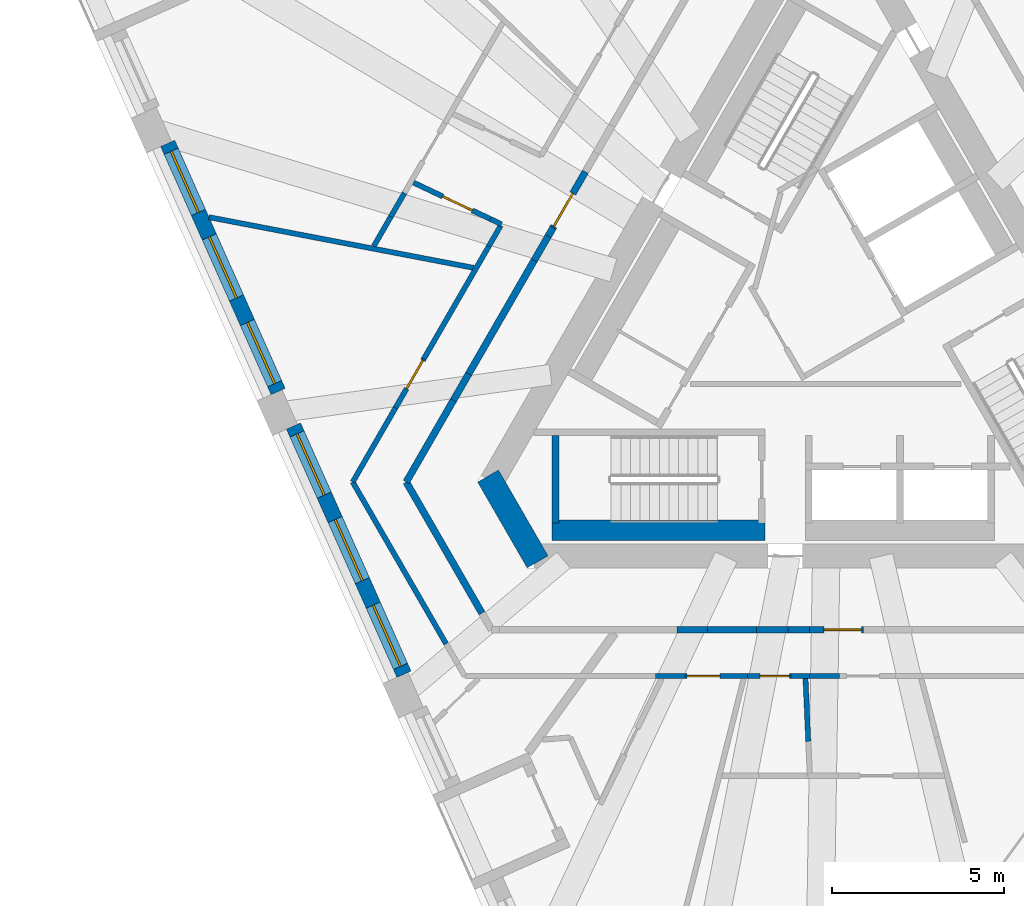
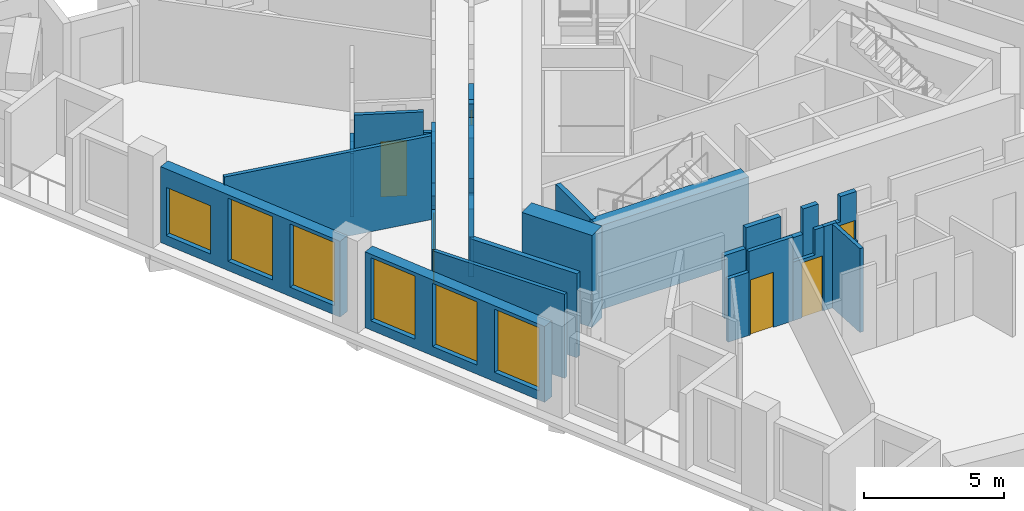
# One storey, part 3 of 11: 33 walls, 6 doors, 6 windows, 12 openings.
"""IFC4 building model written with IfcOpenShell, lengths in metres."""

from ifc_helpers import new_model, si_unit, direction, frame, frame_2d, origin, place, context, subcontext, project, spatial, polyline, rectangle, outline, extrude, material, layer, layer_set, type_object, element, fill, save


model = new_model("IFC4")

# Units and contexts
model_context = context("Model", 3, precision=1e-05, world=origin(), true_north=direction((0.0, 1.0)))
body_context = subcontext(model_context, "Body", "Model", "MODEL_VIEW")
ifc_project = project(units=[si_unit("LENGTHUNIT", "METRE"), si_unit("AREAUNIT", "SQUARE_METRE"), si_unit("VOLUMEUNIT", "CUBIC_METRE"), si_unit("PLANEANGLEUNIT", "RADIAN"), si_unit("MASSUNIT", "GRAM", prefix="KILO")], contexts=[model_context])

# Site, building, storey
site_placement = place(None, origin())
site = spatial("IfcSite", under=ifc_project, at=site_placement, CompositionType="ELEMENT")
building_placement = place(site_placement, origin())
building = spatial("IfcBuilding", under=site, at=building_placement, Name="Tramontana Tower", CompositionType="ELEMENT")
storey_placement = place(building_placement, frame((0.0, 0.0, 253.199951171875)))
storey = spatial("IfcBuildingStorey", under=building, at=storey_placement, Name="L59", CompositionType="ELEMENT", Elevation=253.199951171875)

# Wall
ifc_material_1 = material(Name="Concrete 70 MPa", Category="concrete")
ifc_layer_1 = layer(ifc_material_1, 0.699951171875)
ifc_layer_set_1 = layer_set([ifc_layer_1], Name="Core wall 700 70 MPa")
wall_type_1 = type_object("IfcWallType", Name="Core wall 700 70 MPa", PredefinedType="SHEAR", material=ifc_layer_set_1)
wall_1_placement = place(storey_placement, frame((-9.94482421875, -4.074951171875, 0.0), z_axis=(0.0, 0.0, 1.0), x_axis=(0.499995765644, -0.866027848477, 0.0)))
element("IfcWall", 1, at=wall_1_placement, inside=storey, type_object=wall_type_1, Name="Core wall C2 L59", PredefinedType="SHEAR", context=body_context, shape_type="SweptSolid", body=[
    extrude(rectangle(XDim=2.88671875, YDim=0.699951171875, at=frame_2d((1.443359375, 0.0))), origin(), (0.0, 0.0, 1.0), 4.0),
])

# Wall, opening, door
ifc_material_2 = material(Name="Blockwork", Category="masonry")
ifc_layer_2 = layer(ifc_material_2, 0.199951171875)
ifc_layer_set_2 = layer_set([ifc_layer_2], Name="ENTRY WALL 200")
wall_type_2 = type_object("IfcWallType", Name="ENTRY WALL 200", PredefinedType="SOLIDWALL", material=ifc_layer_set_2)
wall_2_placement = place(storey_placement, frame((0.98046875, -8.550048828125, 0.0), z_axis=(0.0, 0.0, 1.0), x_axis=(-1.0, 0.0, 0.0)))
wall_2 = element("IfcWall", 2, at=wall_2_placement, inside=storey, type_object=wall_type_2, Name="Wall v61-ew1-5", PredefinedType="SOLIDWALL", context=body_context, shape_type="SweptSolid", body=[
    extrude(outline(polyline([(0.0, 0.0), (1.565673828125, 0.0), (1.56591796875, 2.550048828125), (0.665771484375, 2.550048828125), (0.665771484375, 3.650146484375), (0.0, 3.650146484375), (0.0, 0.0)])), frame((0.0, 0.10009765625, 0.0), z_axis=(0.0, -1.0, 0.0), x_axis=(1.0, 0.0, 0.0)), (0.0, 0.0, 1.0), 0.199951171875),
])
opening_1_placement = place(wall_2_placement, frame((0.050048828125, 0.0, 0.0)))
opening_1 = element("IfcOpeningElement", 3, at=opening_1_placement, cuts=wall_2, Name="Opening B6B-22", PredefinedType="OPENING", context=body_context, shape_type="SweptSolid", body=[
    extrude(rectangle(XDim=1.10009765625, YDim=2.39990234375, at=frame_2d((0.550048828125, 1.199951171875))), frame((0.0, 0.10986328125, 0.0), z_axis=(0.0, -1.0, 0.0), x_axis=(1.0, 0.0, 0.0)), (0.0, 0.0, 1.0), 0.219970703125),
])
ifc_material_3 = material(Name="Painted timber", Category="wood")
door_type_1 = type_object("IfcDoorType", Name="DOOR ENTRY 1100", OperationType="SINGLE_SWING_LEFT", PredefinedType="DOOR", material=ifc_material_3)
door_1_placement = place(opening_1_placement, origin())
door_1 = element("IfcDoor", 4, at=door_1_placement, inside=storey, type_object=door_type_1, Name="Door B6B-22", OperationType="SINGLE_SWING_RIGHT", OverallHeight=2.39990234375, OverallWidth=1.10009765625, PredefinedType="DOOR", context=body_context, shape_type="SweptSolid", body=[
    extrude(rectangle(XDim=1.10009765625, YDim=2.39990234375, at=frame_2d((0.550048828125, 1.199951171875))), frame((0.0, 0.02490234375, 0.0), z_axis=(0.0, -1.0, 0.0), x_axis=(1.0, 0.0, 0.0)), (0.0, 0.0, 1.0), 0.050048828125),
])
fill(opening_1, door_1)

# Walls
wall_3_placement = place(storey_placement, frame((-0.585205078125, -8.550048828125, 0.0), z_axis=(0.0, 0.0, 1.0), x_axis=(-1.0, 0.0, 0.0)))
element("IfcWall", 5, at=wall_3_placement, inside=storey, type_object=wall_type_2, Name="Wall v61-ew1-6", PredefinedType="SOLIDWALL", context=body_context, shape_type="SweptSolid", body=[
    extrude(rectangle(XDim=0.6328125, YDim=0.199951171875, at=frame_2d((0.31640625, 0.0))), origin(), (0.0, 0.0, 1.0), 3.650146484375),
])
wall_4_placement = place(storey_placement, frame((-1.218017578125, -8.550048828125, 0.0), z_axis=(0.0, 0.0, 1.0), x_axis=(-1.0, 0.0, 0.0)))
element("IfcWall", 6, at=wall_4_placement, inside=storey, type_object=wall_type_2, Name="Wall v61-ew1-7", PredefinedType="SOLIDWALL", context=body_context, shape_type="SweptSolid", body=[
    extrude(rectangle(XDim=0.9169921875, YDim=0.199951171875, at=frame_2d((0.45849609375, 0.0))), origin(), (0.0, 0.0, 1.0), 2.550048828125),
])
wall_5_placement = place(storey_placement, frame((-2.135009765625, -8.550048828125, 0.0), z_axis=(0.0, 0.0, 1.0), x_axis=(-1.0, 0.0, 0.0)))
element("IfcWall", 7, at=wall_5_placement, inside=storey, type_object=wall_type_2, Name="Wall v61-ew1-8", PredefinedType="SOLIDWALL", context=body_context, shape_type="SweptSolid", body=[
    extrude(rectangle(XDim=1.4296875, YDim=0.199951171875, at=frame_2d((0.71484375, 0.0))), origin(), (0.0, 0.0, 1.0), 3.650146484375),
])
wall_6_placement = place(storey_placement, frame((-3.564697265625, -8.550048828125, 0.0), z_axis=(0.0, 0.0, 1.0), x_axis=(-1.0, 0.0, 0.0)))
element("IfcWall", 8, at=wall_6_placement, inside=storey, type_object=wall_type_2, Name="Wall v61-ew1-9", PredefinedType="SOLIDWALL", context=body_context, shape_type="SweptSolid", body=[
    extrude(rectangle(XDim=0.88330078125, YDim=0.199951171875, at=frame_2d((0.441650390625, 0.0))), origin(), (0.0, 0.0, 1.0), 2.75),
])
wall_7_placement = place(storey_placement, frame((-10.12255859375, -8.067138671875, 0.0), z_axis=(0.0, 0.0, 1.0), x_axis=(-0.500005339912, 0.866022320763, 0.0)))
element("IfcWall", 9, at=wall_7_placement, inside=storey, type_object=wall_type_2, Name="Wall v61-ew2-1", PredefinedType="SOLIDWALL", context=body_context, shape_type="SweptSolid", body=[
    extrude(rectangle(XDim=4.40771484375, YDim=0.199951171875, at=frame_2d((2.203857421875, 0.0))), origin(), (0.0, 0.0, 1.0), 3.650146484375),
])
wall_8_placement = place(storey_placement, frame((-12.326416015625, -4.25, 0.0), z_axis=(0.0, 0.0, 1.0), x_axis=(0.499994514761, 0.866028570666, 0.0)))
element("IfcWall", 10, at=wall_8_placement, inside=storey, type_object=wall_type_2, Name="Wall v61-ew3-0", PredefinedType="SOLIDWALL", context=body_context, shape_type="SweptSolid", body=[
    extrude(rectangle(XDim=2.74462890625, YDim=0.199951171875, at=frame_2d((1.372314453125, 0.0))), origin(), (0.0, 0.0, 1.0), 3.650146484375),
])
wall_9_placement = place(storey_placement, frame((-10.9541015625, -1.873046875, 0.0), z_axis=(0.0, 0.0, 1.0), x_axis=(0.500016243463, 0.866016025414, 0.0)))
element("IfcWall", 11, at=wall_9_placement, inside=storey, type_object=wall_type_2, Name="Wall v61-ew3-1", PredefinedType="SOLIDWALL", context=body_context, shape_type="SweptSolid", body=[
    extrude(rectangle(XDim=0.88720703125, YDim=0.199951171875, at=frame_2d((0.443603515625, 0.0))), origin(), (0.0, 0.0, 1.0), 2.949951171875),
])
wall_10_placement = place(storey_placement, frame((-10.510498046875, -1.104736328125, 0.0), z_axis=(0.0, 0.0, 1.0), x_axis=(0.499997905474, 0.866026613056, 0.0)))
element("IfcWall", 12, at=wall_10_placement, inside=storey, type_object=wall_type_2, Name="Wall v61-ew3-2", PredefinedType="SOLIDWALL", context=body_context, shape_type="SweptSolid", body=[
    extrude(rectangle(XDim=3.810546875, YDim=0.199951171875, at=frame_2d((1.9052734375, 0.0))), origin(), (0.0, 0.0, 1.0), 3.650146484375),
])
wall_11_placement = place(storey_placement, frame((-8.605224609375, 2.1953125, 0.0), z_axis=(0.0, 0.0, 1.0), x_axis=(0.499911126926, 0.866076708598, 0.0)))
element("IfcWall", 13, at=wall_11_placement, inside=storey, type_object=wall_type_2, Name="Wall v61-ew3-3", PredefinedType="SOLIDWALL", context=body_context, shape_type="SweptSolid", body=[
    extrude(rectangle(XDim=0.821533203125, YDim=0.199951171875, at=frame_2d((0.41064453125, 0.0))), origin(), (0.0, 0.0, 1.0), 2.75),
])
wall_12_placement = place(storey_placement, frame((-8.194580078125, 2.90673828125, 0.0), z_axis=(0.0, 0.0, 1.0), x_axis=(0.500220121494, 0.865898279276, 0.0)))
element("IfcWall", 14, at=wall_12_placement, inside=storey, type_object=wall_type_2, Name="Wall v61-ew3-4", PredefinedType="SOLIDWALL", context=body_context, shape_type="SweptSolid", body=[
    extrude(rectangle(XDim=0.282958984375, YDim=0.199951171875, at=frame_2d((0.1416015625, 0.0))), origin(), (0.0, 0.0, 1.0), 3.650146484375),
])

# Wall, opening, door
wall_13_placement = place(storey_placement, frame((-8.052978515625, 3.15185546875, 0.0), z_axis=(0.0, 0.0, 1.0), x_axis=(0.500059305753, 0.865991160884, 0.0)))
wall_13 = element("IfcWall", 15, at=wall_13_placement, inside=storey, type_object=wall_type_2, Name="Wall v61-ew3-5", PredefinedType="SOLIDWALL", context=body_context, shape_type="SweptSolid", body=[
    extrude(outline(polyline([(0.0, 0.0), (1.882080078125, 0.0), (1.882080078125, 2.550048828125), (0.982177734375, 2.550048828125), (0.982177734375, 3.650146484375), (0.0, 3.650146484375), (0.0, 0.0)])), frame((0.0, 0.10009765625, 0.0), z_axis=(0.0, -1.0, 0.0), x_axis=(1.0, 0.0, 0.0)), (0.0, 0.0, 1.0), 0.199951171875),
])
opening_2_placement = place(wall_13_placement, frame((0.050048828125, 0.0, 0.0)))
opening_2 = element("IfcOpeningElement", 16, at=opening_2_placement, cuts=wall_13, Name="Opening B6B-21", PredefinedType="OPENING", context=body_context, shape_type="SweptSolid", body=[
    extrude(rectangle(XDim=1.10009765625, YDim=2.39990234375, at=frame_2d((0.550048828125, 1.199951171875))), frame((0.0, 0.10986328125, 0.0), z_axis=(0.0, -1.0, 0.0), x_axis=(1.0, 0.0, 0.0)), (0.0, 0.0, 1.0), 0.219970703125),
])
door_2_placement = place(opening_2_placement, origin())
door_2 = element("IfcDoor", 17, at=door_2_placement, inside=storey, type_object=door_type_1, Name="Door B6B-21", OperationType="SINGLE_SWING_LEFT", OverallHeight=2.39990234375, OverallWidth=1.10009765625, PredefinedType="DOOR", context=body_context, shape_type="SweptSolid", body=[
    extrude(rectangle(XDim=1.10009765625, YDim=2.39990234375, at=frame_2d((0.550048828125, 1.199951171875))), frame((0.0, 0.02490234375, 0.0), z_axis=(0.0, -1.0, 0.0), x_axis=(1.0, 0.0, 0.0)), (0.0, 0.0, 1.0), 0.050048828125),
])
fill(opening_2, door_2)

# Wall, openings, windows
ifc_material_4 = material(Name="Precast concrete 60 MPa", Category="concrete")
ifc_layer_3 = layer(ifc_material_4, 0.449951171875)
ifc_layer_set_3 = layer_set([ifc_layer_3], Name="Precast concrete 60 MPa, 450 mm")
wall_type_3 = type_object("IfcWallType", Name="EW1 Stone-faced precast wall 450", PredefinedType="SOLIDWALL", material=ifc_layer_set_3)
wall_14_placement = place(storey_placement, frame((-19.271484375, 5.606201171875, 0.0), z_axis=(0.0, 0.0, 1.0), x_axis=(0.406760076741, -0.913535023942, 0.0)))
wall_14 = element("IfcWall", 18, at=wall_14_placement, inside=storey, type_object=wall_type_3, Name="External wall L59 face 0 bay 2", PredefinedType="SOLIDWALL", context=body_context, shape_type="SweptSolid", body=[
    extrude(rectangle(XDim=7.906494140625, YDim=0.449951171875, at=frame_2d((3.953125, 0.0))), origin(), (0.0, 0.0, 1.0), 3.300048828125),
])
opening_3_placement = place(wall_14_placement, frame((0.251220703125, 0.0, 0.39990234375)))
opening_3 = element("IfcOpeningElement", 19, at=opening_3_placement, cuts=wall_14, Name="Opening M3L", PredefinedType="OPENING", context=body_context, shape_type="SweptSolid", body=[
    extrude(rectangle(XDim=1.949951171875, YDim=2.10009765625, at=frame_2d((0.97509765625, 1.050048828125))), frame((0.0, 0.23486328125, 0.0), z_axis=(0.0, -1.0, 0.0), x_axis=(1.0, 0.0, 0.0)), (0.0, 0.0, 1.0), 0.469970703125),
])
opening_4_placement = place(wall_14_placement, frame((2.978271484375, 0.0, 0.39990234375)))
opening_4 = element("IfcOpeningElement", 20, at=opening_4_placement, cuts=wall_14, Name="Opening M3", PredefinedType="OPENING", context=body_context, shape_type="SweptSolid", body=[
    extrude(rectangle(XDim=1.949951171875, YDim=2.75, at=frame_2d((0.97509765625, 1.375))), frame((0.0, 0.23486328125, 0.0), z_axis=(0.0, -1.0, 0.0), x_axis=(1.0, 0.0, 0.0)), (0.0, 0.0, 1.0), 0.469970703125),
])
opening_5_placement = place(wall_14_placement, frame((5.70556640625, 0.0, 0.39990234375)))
opening_5 = element("IfcOpeningElement", 21, at=opening_5_placement, cuts=wall_14, Name="Opening M3", PredefinedType="OPENING", context=body_context, shape_type="SweptSolid", body=[
    extrude(rectangle(XDim=1.949951171875, YDim=2.75, at=frame_2d((0.97509765625, 1.375))), frame((0.0, 0.23486328125, 0.0), z_axis=(0.0, -1.0, 0.0), x_axis=(1.0, 0.0, 0.0)), (0.0, 0.0, 1.0), 0.469970703125),
])
ifc_material_5 = material(Name="Aluminum frame, double glazing unit", Category="aluminium")
window_type_1 = type_object("IfcWindowType", Name="M3 Window 1.95 x 2.75", PartitioningType="SINGLE_PANEL", PredefinedType="WINDOW", material=ifc_material_5)
window_1_placement = place(opening_4_placement, origin())
window_1 = element("IfcWindow", 22, at=window_1_placement, inside=storey, type_object=window_type_1, Name="Window M3 L59 face 0 module 5", OverallHeight=2.75, OverallWidth=1.949951171875, PartitioningType="SINGLE_PANEL", PredefinedType="WINDOW", context=body_context, shape_type="SweptSolid", body=[
    extrude(rectangle(XDim=1.949951171875, YDim=2.75, at=frame_2d((0.97509765625, 1.375))), frame((0.0, 0.030029296875, 0.0), z_axis=(0.0, -1.0, 0.0), x_axis=(1.0, 0.0, 0.0)), (0.0, 0.0, 1.0), 0.06005859375),
])
fill(opening_4, window_1)
window_2_placement = place(opening_5_placement, origin())
window_2 = element("IfcWindow", 23, at=window_2_placement, inside=storey, type_object=window_type_1, Name="Window M3 L59 face 0 module 6", OverallHeight=2.75, OverallWidth=1.949951171875, PartitioningType="SINGLE_PANEL", PredefinedType="WINDOW", context=body_context, shape_type="SweptSolid", body=[
    extrude(rectangle(XDim=1.949951171875, YDim=2.75, at=frame_2d((0.97509765625, 1.375))), frame((0.0, 0.030029296875, 0.0), z_axis=(0.0, -1.0, 0.0), x_axis=(1.0, 0.0, 0.0)), (0.0, 0.0, 1.0), 0.06005859375),
])
fill(opening_5, window_2)
ifc_material_6 = material(Name="Aluminum frame, double glazing unit", Category="aluminium")
window_type_2 = type_object("IfcWindowType", Name="M3L Window 1.95 x 2.1", PartitioningType="SINGLE_PANEL", PredefinedType="WINDOW", material=ifc_material_6)
window_3_placement = place(opening_3_placement, origin())
window_3 = element("IfcWindow", 24, at=window_3_placement, inside=storey, type_object=window_type_2, Name="Window M3L L59 face 0 module 4", OverallHeight=2.10009765625, OverallWidth=1.949951171875, PartitioningType="SINGLE_PANEL", PredefinedType="WINDOW", context=body_context, shape_type="SweptSolid", body=[
    extrude(rectangle(XDim=1.949951171875, YDim=2.10009765625, at=frame_2d((0.97509765625, 1.050048828125))), frame((0.0, 0.030029296875, 0.0), z_axis=(0.0, -1.0, 0.0), x_axis=(1.0, 0.0, 0.0)), (0.0, 0.0, 1.0), 0.06005859375),
])
fill(opening_3, window_3)

wall_15_placement = place(storey_placement, frame((-15.608154296875, -2.62158203125, 0.0), z_axis=(0.0, 0.0, 1.0), x_axis=(0.406748602972, -0.91354013266, 0.0)))
wall_15 = element("IfcWall", 25, at=wall_15_placement, inside=storey, type_object=wall_type_3, Name="External wall L59 face 0 bay 3", PredefinedType="SOLIDWALL", context=body_context, shape_type="SweptSolid", body=[
    extrude(rectangle(XDim=7.90673828125, YDim=0.449951171875, at=frame_2d((3.953369140625, 0.0))), origin(), (0.0, 0.0, 1.0), 3.300048828125),
])
opening_6_placement = place(wall_15_placement, frame((0.251220703125, 0.0, 0.39990234375)))
opening_6 = element("IfcOpeningElement", 26, at=opening_6_placement, cuts=wall_15, Name="Opening M3", PredefinedType="OPENING", context=body_context, shape_type="SweptSolid", body=[
    extrude(rectangle(XDim=1.949951171875, YDim=2.75, at=frame_2d((0.97509765625, 1.375))), frame((0.0, 0.23486328125, 0.0), z_axis=(0.0, -1.0, 0.0), x_axis=(1.0, 0.0, 0.0)), (0.0, 0.0, 1.0), 0.469970703125),
])
opening_7_placement = place(wall_15_placement, frame((2.978271484375, 0.0, 0.39990234375)))
opening_7 = element("IfcOpeningElement", 27, at=opening_7_placement, cuts=wall_15, Name="Opening M3", PredefinedType="OPENING", context=body_context, shape_type="SweptSolid", body=[
    extrude(rectangle(XDim=1.949951171875, YDim=2.75, at=frame_2d((0.97509765625, 1.375))), frame((0.0, 0.23486328125, 0.0), z_axis=(0.0, -1.0, 0.0), x_axis=(1.0, 0.0, 0.0)), (0.0, 0.0, 1.0), 0.469970703125),
])
opening_8_placement = place(wall_15_placement, frame((5.70556640625, 0.0, 0.39990234375)))
opening_8 = element("IfcOpeningElement", 28, at=opening_8_placement, cuts=wall_15, Name="Opening M3", PredefinedType="OPENING", context=body_context, shape_type="SweptSolid", body=[
    extrude(rectangle(XDim=1.949951171875, YDim=2.75, at=frame_2d((0.97509765625, 1.375))), frame((0.0, 0.23486328125, 0.0), z_axis=(0.0, -1.0, 0.0), x_axis=(1.0, 0.0, 0.0)), (0.0, 0.0, 1.0), 0.469970703125),
])
window_4_placement = place(opening_6_placement, origin())
window_4 = element("IfcWindow", 29, at=window_4_placement, inside=storey, type_object=window_type_1, Name="Window M3 L59 face 0 module 7", OverallHeight=2.75, OverallWidth=1.949951171875, PartitioningType="SINGLE_PANEL", PredefinedType="WINDOW", context=body_context, shape_type="SweptSolid", body=[
    extrude(rectangle(XDim=1.949951171875, YDim=2.75, at=frame_2d((0.97509765625, 1.375))), frame((0.0, 0.030029296875, 0.0), z_axis=(0.0, -1.0, 0.0), x_axis=(1.0, 0.0, 0.0)), (0.0, 0.0, 1.0), 0.06005859375),
])
fill(opening_6, window_4)
window_5_placement = place(opening_7_placement, origin())
window_5 = element("IfcWindow", 30, at=window_5_placement, inside=storey, type_object=window_type_1, Name="Window M3 L59 face 0 module 8", OverallHeight=2.75, OverallWidth=1.949951171875, PartitioningType="SINGLE_PANEL", PredefinedType="WINDOW", context=body_context, shape_type="SweptSolid", body=[
    extrude(rectangle(XDim=1.949951171875, YDim=2.75, at=frame_2d((0.97509765625, 1.375))), frame((0.0, 0.030029296875, 0.0), z_axis=(0.0, -1.0, 0.0), x_axis=(1.0, 0.0, 0.0)), (0.0, 0.0, 1.0), 0.06005859375),
])
fill(opening_7, window_5)
window_6_placement = place(opening_8_placement, origin())
window_6 = element("IfcWindow", 31, at=window_6_placement, inside=storey, type_object=window_type_1, Name="Window M3 L59 face 0 module 9", OverallHeight=2.75, OverallWidth=1.949951171875, PartitioningType="SINGLE_PANEL", PredefinedType="WINDOW", context=body_context, shape_type="SweptSolid", body=[
    extrude(rectangle(XDim=1.949951171875, YDim=2.75, at=frame_2d((0.97509765625, 1.375))), frame((0.0, 0.030029296875, 0.0), z_axis=(0.0, -1.0, 0.0), x_axis=(1.0, 0.0, 0.0)), (0.0, 0.0, 1.0), 0.06005859375),
])
fill(opening_8, window_6)

# Wall
ifc_material_7 = material(Name="Gypsum board partition")
ifc_layer_4 = layer(ifc_material_7, 0.14990234375)
ifc_layer_set_4 = layer_set([ifc_layer_4], Name="PARTITION 150")
wall_type_4 = type_object("IfcWallType", Name="PARTITION 150", PredefinedType="PARTITIONING", material=ifc_layer_set_4)
wall_16_placement = place(storey_placement, frame((-13.88525390625, -4.25, 0.0), z_axis=(0.0, 0.0, 1.0), x_axis=(0.499999788377, 0.866025525965, 0.0)))
element("IfcWall", 32, at=wall_16_placement, inside=storey, type_object=wall_type_4, Name="Wall v61-pw01-0", PredefinedType="PARTITIONING", context=body_context, shape_type="SweptSolid", body=[
    extrude(rectangle(XDim=2.4892578125, YDim=0.14990234375, at=frame_2d((1.24462890625, 0.0))), origin(), (0.0, 0.0, 1.0), 3.650146484375),
])

# Wall, opening, door
wall_17_placement = place(storey_placement, frame((-12.640625, -2.09423828125, 0.0), z_axis=(0.0, 0.0, 1.0), x_axis=(0.500025879676, 0.866010461631, 0.0)))
wall_17 = element("IfcWall", 33, at=wall_17_placement, inside=storey, type_object=wall_type_4, Name="Wall v61-pw01-1", PredefinedType="PARTITIONING", context=body_context, shape_type="SweptSolid", body=[
    extrude(outline(polyline([(0.0, 0.0), (1.6484375, 0.0), (1.6484375, 3.650146484375), (0.85546875, 3.650146484375), (0.85546875, 2.949951171875), (0.0, 2.949951171875), (0.0, 0.0)])), frame((0.0, 0.074951171875, 0.0), z_axis=(0.0, -1.0, 0.0), x_axis=(1.0, 0.0, 0.0)), (0.0, 0.0, 1.0), 0.14990234375),
])
opening_9_placement = place(wall_17_placement, frame((0.6484375, 0.0, 0.0)))
opening_9 = element("IfcOpeningElement", 34, at=opening_9_placement, cuts=wall_17, Name="Opening B6B-06", PredefinedType="OPENING", context=body_context, shape_type="SweptSolid", body=[
    extrude(rectangle(XDim=0.949951171875, YDim=2.39990234375, at=frame_2d((0.47509765625, 1.199951171875))), frame((0.0, 0.0849609375, 0.0), z_axis=(0.0, -1.0, 0.0), x_axis=(1.0, 0.0, 0.0)), (0.0, 0.0, 1.0), 0.169921875),
])
ifc_material_8 = material(Name="Painted timber", Category="wood")
door_type_2 = type_object("IfcDoorType", Name="DOOR ROOM 950", OperationType="SINGLE_SWING_LEFT", PredefinedType="DOOR", material=ifc_material_8)
door_3_placement = place(opening_9_placement, origin())
door_3 = element("IfcDoor", 35, at=door_3_placement, inside=storey, type_object=door_type_2, Name="Door B6B-06", OperationType="SINGLE_SWING_RIGHT", OverallHeight=2.39990234375, OverallWidth=0.949951171875, PredefinedType="DOOR", context=body_context, shape_type="SweptSolid", body=[
    extrude(rectangle(XDim=0.949951171875, YDim=2.39990234375, at=frame_2d((0.47509765625, 1.199951171875))), frame((0.0, 0.02490234375, 0.0), z_axis=(0.0, -1.0, 0.0), x_axis=(1.0, 0.0, 0.0)), (0.0, 0.0, 1.0), 0.050048828125),
])
fill(opening_9, door_3)

# Walls
wall_18_placement = place(storey_placement, frame((-11.81640625, -0.666748046875, 0.0), z_axis=(0.0, 0.0, 1.0), x_axis=(0.500005522576, 0.8660222153, 0.0)))
element("IfcWall", 36, at=wall_18_placement, inside=storey, type_object=wall_type_4, Name="Wall v61-pw01-2", PredefinedType="PARTITIONING", context=body_context, shape_type="SweptSolid", body=[
    extrude(rectangle(XDim=3.78271484375, YDim=0.14990234375, at=frame_2d((1.891357421875, 0.0))), origin(), (0.0, 0.0, 1.0), 3.650146484375),
])
wall_19_placement = place(storey_placement, frame((-9.925048828125, 2.609130859375, 0.0), z_axis=(0.0, 0.0, 1.0), x_axis=(0.499953188488, 0.866052428737, 0.0)))
element("IfcWall", 37, at=wall_19_placement, inside=storey, type_object=wall_type_4, Name="Wall v61-pw01-3", PredefinedType="PARTITIONING", context=body_context, shape_type="SweptSolid", body=[
    extrude(rectangle(XDim=0.7021484375, YDim=0.14990234375, at=frame_2d((0.35107421875, 0.0))), origin(), (0.0, 0.0, 1.0), 2.75),
])
wall_20_placement = place(storey_placement, frame((-13.27001953125, 2.61572265625, 0.0), z_axis=(0.0, 0.0, 1.0), x_axis=(0.49997816789, 0.866038008192, 0.0)))
element("IfcWall", 38, at=wall_20_placement, inside=storey, type_object=wall_type_4, Name="Wall v61-pw02-0", PredefinedType="PARTITIONING", context=body_context, shape_type="SweptSolid", body=[
    extrude(rectangle(XDim=0.99169921875, YDim=0.14990234375, at=frame_2d((0.495849609375, 0.0))), origin(), (0.0, 0.0, 1.0), 3.650146484375),
])
wall_21_placement = place(storey_placement, frame((-12.774169921875, 3.474609375, 0.0), z_axis=(0.0, 0.0, 1.0), x_axis=(0.500165123728, 0.865930048564, 0.0)))
element("IfcWall", 39, at=wall_21_placement, inside=storey, type_object=wall_type_4, Name="Wall v61-pw02-1", PredefinedType="PARTITIONING", context=body_context, shape_type="SweptSolid", body=[
    extrude(rectangle(XDim=0.795654296875, YDim=0.14990234375, at=frame_2d((0.39794921875, 0.0))), origin(), (0.0, 0.0, 1.0), 2.75),
])
wall_22_placement = place(storey_placement, frame((-11.1650390625, -8.96142578125, 0.0), z_axis=(0.0, 0.0, 1.0), x_axis=(-0.500009912158, 0.866019680922, 0.0)))
element("IfcWall", 40, at=wall_22_placement, inside=storey, type_object=wall_type_4, Name="Wall v61-pw05-2", PredefinedType="PARTITIONING", context=body_context, shape_type="SweptSolid", body=[
    extrude(rectangle(XDim=5.4404296875, YDim=0.14990234375, at=frame_2d((2.72021484375, 0.0))), origin(), (0.0, 0.0, 1.0), 3.650146484375),
])
wall_23_placement = place(storey_placement, frame((-10.3720703125, 1.98486328125, 0.0), z_axis=(0.0, 0.0, 1.0), x_axis=(-0.982181141847, 0.187936703706, 0.0)))
element("IfcWall", 41, at=wall_23_placement, inside=storey, type_object=wall_type_4, Name="Wall v61-pw06", PredefinedType="PARTITIONING", context=body_context, shape_type="SweptSolid", body=[
    extrude(rectangle(XDim=7.8359375, YDim=0.14990234375, at=frame_2d((3.91796875, 0.0))), origin(), (0.0, 0.0, 1.0), 3.650146484375),
])
wall_24_placement = place(storey_placement, frame((-9.553955078125, 3.251953125, 0.0), z_axis=(0.0, 0.0, 1.0), x_axis=(-0.903821601286, 0.427909468287, 0.0)))
element("IfcWall", 42, at=wall_24_placement, inside=storey, type_object=wall_type_4, Name="Wall v61-pw07-0", PredefinedType="PARTITIONING", context=body_context, shape_type="SweptSolid", body=[
    extrude(rectangle(XDim=0.35595703125, YDim=0.14990234375, at=frame_2d((0.177978515625, 0.0))), origin(), (0.0, 0.0, 1.0), 2.75),
])

# Wall, opening, door
wall_25_placement = place(storey_placement, frame((-9.875732421875, 3.404296875, 0.0), z_axis=(0.0, 0.0, 1.0), x_axis=(-0.903816051191, 0.427921190886, 0.0)))
wall_25 = element("IfcWall", 43, at=wall_25_placement, inside=storey, type_object=wall_type_4, Name="Wall v61-pw07-1", PredefinedType="PARTITIONING", context=body_context, shape_type="SweptSolid", body=[
    extrude(rectangle(XDim=2.478271484375, YDim=0.14990234375, at=frame_2d((1.2392578125, 0.0))), origin(), (0.0, 0.0, 1.0), 3.650146484375),
])
opening_10_placement = place(wall_25_placement, frame((0.586181640625, 0.0, 0.0)))
opening_10 = element("IfcOpeningElement", 44, at=opening_10_placement, cuts=wall_25, Name="Opening B6B-01", PredefinedType="OPENING", context=body_context, shape_type="SweptSolid", body=[
    extrude(rectangle(XDim=0.949951171875, YDim=2.39990234375, at=frame_2d((0.47509765625, 1.199951171875))), frame((0.0, 0.0849609375, 0.0), z_axis=(0.0, -1.0, 0.0), x_axis=(1.0, 0.0, 0.0)), (0.0, 0.0, 1.0), 0.169921875),
])
door_4_placement = place(opening_10_placement, origin())
door_4 = element("IfcDoor", 45, at=door_4_placement, inside=storey, type_object=door_type_2, Name="Door B6B-01", OperationType="SINGLE_SWING_LEFT", OverallHeight=2.39990234375, OverallWidth=0.949951171875, PredefinedType="DOOR", context=body_context, shape_type="SweptSolid", body=[
    extrude(rectangle(XDim=0.949951171875, YDim=2.39990234375, at=frame_2d((0.47509765625, 1.199951171875))), frame((0.0, 0.02490234375, 0.0), z_axis=(0.0, -1.0, 0.0), x_axis=(1.0, 0.0, 0.0)), (0.0, 0.0, 1.0), 0.050048828125),
])
fill(opening_10, door_4)

# Walls
wall_26_placement = place(storey_placement, frame((-0.6240234375, -11.79638671875, 0.0), z_axis=(0.0, 0.0, 1.0), x_axis=(-0.04442060274, 0.999012917861, 0.0)))
element("IfcWall", 46, at=wall_26_placement, inside=storey, type_object=wall_type_4, Name="Wall v61-pw17-1", PredefinedType="PARTITIONING", context=body_context, shape_type="SweptSolid", body=[
    extrude(rectangle(XDim=1.896240234375, YDim=0.14990234375, at=frame_2d((0.9482421875, 0.0))), origin(), (0.0, 0.0, 1.0), 3.650146484375),
])
wall_27_placement = place(storey_placement, frame((0.281005859375, -9.89990234375, 0.0), z_axis=(0.0, 0.0, 1.0), x_axis=(-1.0, 0.0, 0.0)))
element("IfcWall", 47, at=wall_27_placement, inside=storey, type_object=wall_type_4, Name="Wall v61-pw28-5", PredefinedType="PARTITIONING", context=body_context, shape_type="SweptSolid", body=[
    extrude(rectangle(XDim=0.875, YDim=0.14990234375, at=frame_2d((0.4375, 0.0))), origin(), (0.0, 0.0, 1.0), 2.550048828125),
])
wall_28_placement = place(storey_placement, frame((-0.593994140625, -9.89990234375, 0.0), z_axis=(0.0, 0.0, 1.0), x_axis=(-1.0, 0.0, 0.0)))
element("IfcWall", 48, at=wall_28_placement, inside=storey, type_object=wall_type_4, Name="Wall v61-pw28-6", PredefinedType="PARTITIONING", context=body_context, shape_type="SweptSolid", body=[
    extrude(rectangle(XDim=0.5302734375, YDim=0.14990234375, at=frame_2d((0.26513671875, 0.0))), origin(), (0.0, 0.0, 1.0), 3.650146484375),
])

# Wall, opening, door
wall_29_placement = place(storey_placement, frame((-1.124267578125, -9.89990234375, 0.0), z_axis=(0.0, 0.0, 1.0), x_axis=(-1.0, 0.0, 0.0)))
wall_29 = element("IfcWall", 49, at=wall_29_placement, inside=storey, type_object=wall_type_4, Name="Wall v61-pw28-7", PredefinedType="PARTITIONING", context=body_context, shape_type="SweptSolid", body=[
    extrude(outline(polyline([(0.0, 0.0), (1.262939453125, 0.0), (1.262939453125, 2.550048828125), (0.371337890625, 2.550048828125), (0.371337890625, 3.650146484375), (0.0, 3.650146484375), (0.0, 0.0)])), frame((0.0, 0.074951171875, 0.0), z_axis=(0.0, -1.0, 0.0), x_axis=(1.0, 0.0, 0.0)), (0.0, 0.0, 1.0), 0.14990234375),
])
opening_11_placement = place(wall_29_placement, frame((0.050048828125, 0.0, 0.0)))
opening_11 = element("IfcOpeningElement", 50, at=opening_11_placement, cuts=wall_29, Name="Opening B6B-09", PredefinedType="OPENING", context=body_context, shape_type="SweptSolid", body=[
    extrude(rectangle(XDim=0.85009765625, YDim=2.39990234375, at=frame_2d((0.425048828125, 1.199951171875))), frame((0.0, 0.0849609375, 0.0), z_axis=(0.0, -1.0, 0.0), x_axis=(1.0, 0.0, 0.0)), (0.0, 0.0, 1.0), 0.169921875),
])
ifc_material_9 = material(Name="Painted timber", Category="wood")
door_type_3 = type_object("IfcDoorType", Name="DOOR BATH 850", OperationType="SINGLE_SWING_LEFT", PredefinedType="DOOR", material=ifc_material_9)
door_5_placement = place(opening_11_placement, origin())
door_5 = element("IfcDoor", 51, at=door_5_placement, inside=storey, type_object=door_type_3, Name="Door B6B-09", OperationType="SINGLE_SWING_LEFT", OverallHeight=2.39990234375, OverallWidth=0.85009765625, PredefinedType="DOOR", context=body_context, shape_type="SweptSolid", body=[
    extrude(rectangle(XDim=0.85009765625, YDim=2.39990234375, at=frame_2d((0.425048828125, 1.199951171875))), frame((0.0, 0.02490234375, 0.0), z_axis=(0.0, -1.0, 0.0), x_axis=(1.0, 0.0, 0.0)), (0.0, 0.0, 1.0), 0.050048828125),
])
fill(opening_11, door_5)

wall_30_placement = place(storey_placement, frame((-2.38720703125, -9.89990234375, 0.0), z_axis=(0.0, 0.0, 1.0), x_axis=(-1.0, 0.0, 0.0)))
wall_30 = element("IfcWall", 52, at=wall_30_placement, inside=storey, type_object=wall_type_4, Name="Wall v61-pw28-8", PredefinedType="PARTITIONING", context=body_context, shape_type="SweptSolid", body=[
    extrude(rectangle(XDim=1.82373046875, YDim=0.14990234375, at=frame_2d((0.911865234375, 0.0))), origin(), (0.0, 0.0, 1.0), 3.650146484375),
])
opening_12_placement = place(wall_30_placement, frame((0.81103515625, 0.0, 0.0)))
opening_12 = element("IfcOpeningElement", 53, at=opening_12_placement, cuts=wall_30, Name="Opening B6B-10", PredefinedType="OPENING", context=body_context, shape_type="SweptSolid", body=[
    extrude(rectangle(XDim=0.949951171875, YDim=2.39990234375, at=frame_2d((0.47509765625, 1.199951171875))), frame((0.0, 0.0849609375, 0.0), z_axis=(0.0, -1.0, 0.0), x_axis=(1.0, 0.0, 0.0)), (0.0, 0.0, 1.0), 0.169921875),
])
door_6_placement = place(opening_12_placement, origin())
door_6 = element("IfcDoor", 54, at=door_6_placement, inside=storey, type_object=door_type_2, Name="Door B6B-10", OperationType="SINGLE_SWING_RIGHT", OverallHeight=2.39990234375, OverallWidth=0.949951171875, PredefinedType="DOOR", context=body_context, shape_type="SweptSolid", body=[
    extrude(rectangle(XDim=0.949951171875, YDim=2.39990234375, at=frame_2d((0.47509765625, 1.199951171875))), frame((0.0, 0.02490234375, 0.0), z_axis=(0.0, -1.0, 0.0), x_axis=(1.0, 0.0, 0.0)), (0.0, 0.0, 1.0), 0.050048828125),
])
fill(opening_12, door_6)

# Walls
wall_31_placement = place(storey_placement, frame((-4.2109375, -9.89990234375, 0.0), z_axis=(0.0, 0.0, 1.0), x_axis=(-1.0, 0.0, 0.0)))
element("IfcWall", 55, at=wall_31_placement, inside=storey, type_object=wall_type_4, Name="Wall v61-pw28-9", PredefinedType="PARTITIONING", context=body_context, shape_type="SweptSolid", body=[
    extrude(rectangle(XDim=0.85595703125, YDim=0.14990234375, at=frame_2d((0.427978515625, 0.0))), origin(), (0.0, 0.0, 1.0), 2.75),
])
ifc_material_10 = material(Name="Concrete 70 MPa", Category="concrete")
ifc_layer_5 = layer(ifc_material_10, 0.60009765625)
ifc_layer_set_5 = layer_set([ifc_layer_5], Name="Concrete 70 MPa, 600 mm")
wall_type_5 = type_object("IfcWallType", Name="RC SHAFT BACK WALL 600", PredefinedType="SOLIDWALL", material=ifc_layer_set_5)
wall_32_placement = place(storey_placement, frame((-8.080078125, -5.64990234375, 0.0), z_axis=(0.0, 0.0, 1.0), x_axis=(1.0, 0.0, 0.0)))
element("IfcWall", 56, at=wall_32_placement, inside=storey, type_object=wall_type_5, Name="Wall st2-back", PredefinedType="SOLIDWALL", context=body_context, shape_type="SweptSolid", body=[
    extrude(rectangle(XDim=6.2001953125, YDim=0.60009765625, at=frame_2d((3.10009765625, 0.0))), origin(), (0.0, 0.0, 1.0), 3.650146484375),
])
ifc_material_11 = material(Name="Concrete 70 MPa", Category="concrete")
ifc_layer_6 = layer(ifc_material_11, 0.199951171875)
ifc_layer_set_6 = layer_set([ifc_layer_6], Name="Concrete 70 MPa, 200 mm")
wall_type_6 = type_object("IfcWallType", Name="RC STAIR AND SHAFT WALL 200", PredefinedType="SOLIDWALL", material=ifc_layer_set_6)
wall_33_placement = place(storey_placement, frame((-7.97998046875, -2.89990234375, 0.0), z_axis=(0.0, 0.0, 1.0), x_axis=(0.0, -1.0, 0.0)))
element("IfcWall", 57, at=wall_33_placement, inside=storey, type_object=wall_type_6, Name="Wall st2-far", PredefinedType="SOLIDWALL", context=body_context, shape_type="SweptSolid", body=[
    extrude(rectangle(XDim=2.550048828125, YDim=0.199951171875, at=frame_2d((1.27490234375, 0.0))), origin(), (0.0, 0.0, 1.0), 3.650146484375),
])

save(model, "model.ifc")
